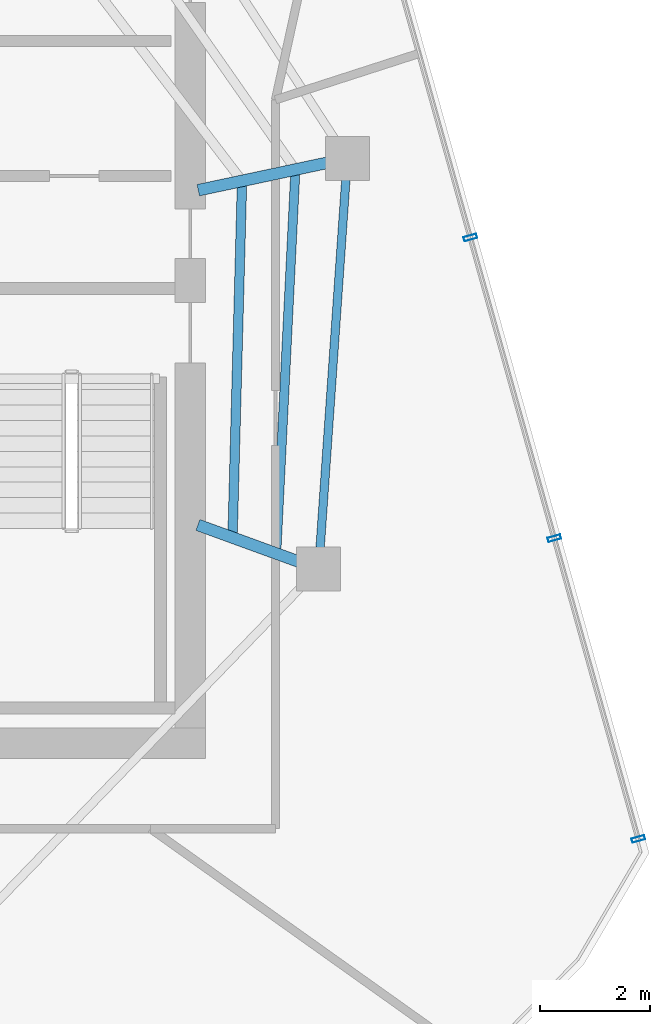
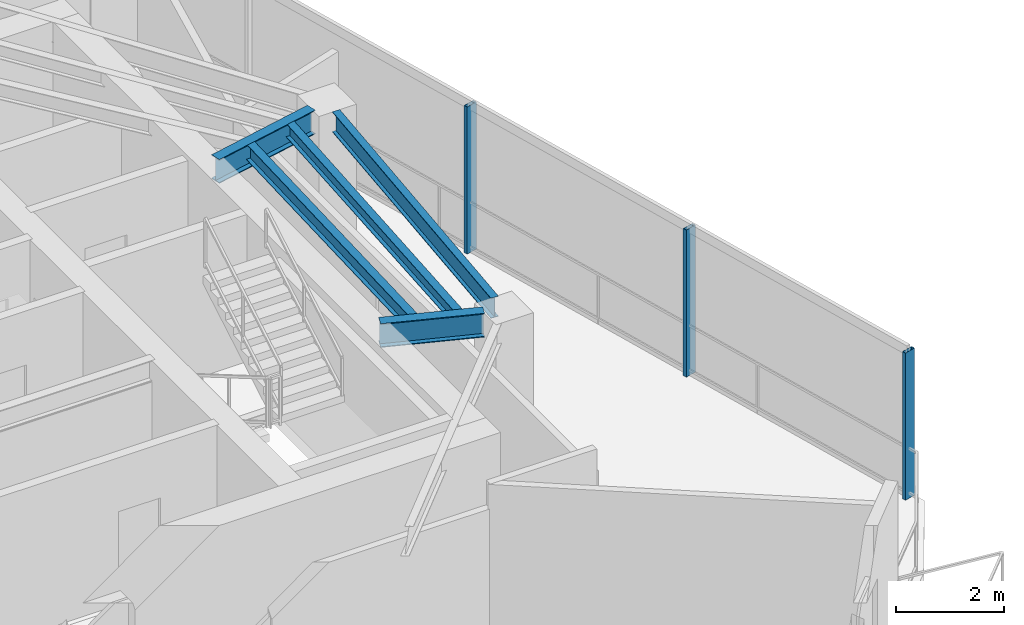
# One storey, part 10 of 18: 5 beams, 3 members, 1 element without a shape of its own.
"""IFC4 building model written with IfcOpenShell, lengths in metres."""

import ifcopenshell
import ifcopenshell.guid

model = None  # the IFC model being written
_history = None  # IfcOwnerHistory: only IFC2X3 demands one
_inside = {}  # id of a spatial element -> (the spatial element, [elements in it])
_under = {}  # id of a project, library or spatial element -> (it, [spatial elements below it])
_declared = {}  # id of a project -> (the project, [libraries it declares])
_typed = {}  # id of a type object -> (the type object, [elements of that type])
_made_of = {}  # id of a material, layer set ... -> (it, [elements and type objects made of it])


def new_model(schema):
    """Start an empty IFC model of exactly this schema.

    Asked for "IFC4X3", IfcOpenShell would pick the latest addendum, in which some entities
    have other attributes; the version numbers below select the first issue.
    IFC2X3 requires an IfcOwnerHistory on every rooted entity: one is made here for all.
    """
    global model, _history
    if schema == "IFC4X3":
        model = ifcopenshell.file(schema_version=(4, 3, 0, 0))
    else:
        model = ifcopenshell.file(schema=schema)
    _inside.clear()
    _under.clear()
    _declared.clear()
    _typed.clear()
    _made_of.clear()
    _history = None
    if model.schema == "IFC2X3":
        org = make("IfcOrganization", Name="unknown")
        user = make(
            "IfcPersonAndOrganization",
            ThePerson=make("IfcPerson", FamilyName="unknown"),
            TheOrganization=org,
        )
        app = make(
            "IfcApplication",
            ApplicationDeveloper=org,
            Version="unknown",
            ApplicationFullName="unknown",
            ApplicationIdentifier="unknown",
        )
        _history = make(
            "IfcOwnerHistory",
            OwningUser=user,
            OwningApplication=app,
            ChangeAction="ADDED",
            CreationDate=0,
        )
    return model


def make(cls, **values):
    """One entity of the class cls with the attributes given. An attribute that is None is left unset."""
    return model.create_entity(
        cls, **{name: value for name, value in values.items() if value is not None}
    )


def rooted(cls, **values):
    """An entity with a GlobalId (a new one), such as an element, a storey or a relation."""
    return make(cls, GlobalId=ifcopenshell.guid.new(), OwnerHistory=_history, **values)


def si_unit(unit_type, name, prefix=None):
    """IfcSIUnit, for example si_unit("LENGTHUNIT", "METRE", prefix="MILLI")."""
    return make("IfcSIUnit", UnitType=unit_type, Prefix=prefix, Name=name)


def assignment(units):
    """IfcUnitAssignment: the units of a project."""
    return None if units is None else make("IfcUnitAssignment", Units=units)


def point(xyz):
    """IfcCartesianPoint."""
    return None if xyz is None else make("IfcCartesianPoint", Coordinates=xyz)


def direction(xyz):
    """IfcDirection."""
    return None if xyz is None else make("IfcDirection", DirectionRatios=xyz)


def frame(location, z_axis=None, x_axis=None):
    """IfcAxis2Placement3D, a coordinate frame: its origin and axes. An axis left out is left unset."""
    return make(
        "IfcAxis2Placement3D",
        Location=point(location),
        Axis=direction(z_axis),
        RefDirection=direction(x_axis),
    )


def frame_2d(location, x_axis=None):
    """IfcAxis2Placement2D, a coordinate frame in the plane: its origin and x axis."""
    return make(
        "IfcAxis2Placement2D", Location=point(location), RefDirection=direction(x_axis)
    )


def origin():
    """The frame at (0, 0, 0) with its axes left unset."""
    return frame((0.0, 0.0, 0.0))


def origin_2d():
    """The frame at (0, 0) in the plane with its x axis left unset."""
    return frame_2d((0.0, 0.0))


def place(relative_to, where):
    """IfcLocalPlacement: puts the frame where relative to a parent placement (None: the world)."""
    return make(
        "IfcLocalPlacement", PlacementRelTo=relative_to, RelativePlacement=where
    )


def context(
    kind, dimensions, precision=None, world=None, true_north=None, identifier=None
):
    """IfcGeometricRepresentationContext, for example the 3D "Model" context."""
    return make(
        "IfcGeometricRepresentationContext",
        ContextIdentifier=identifier,
        ContextType=kind,
        CoordinateSpaceDimension=dimensions,
        Precision=precision,
        WorldCoordinateSystem=world,
        TrueNorth=true_north,
    )


def subcontext(parent, identifier, kind, view, scale=None):
    """IfcGeometricRepresentationSubContext, for example "Body" below "Model"."""
    return make(
        "IfcGeometricRepresentationSubContext",
        ContextIdentifier=identifier,
        ContextType=kind,
        ParentContext=parent,
        TargetScale=scale,
        TargetView=view,
    )


def project(units=None, contexts=None):
    """IfcProject with its units and contexts."""
    return rooted(
        "IfcProject",
        Name="project",
        RepresentationContexts=contexts,
        UnitsInContext=assignment(units),
    )


def spatial(cls, under=None, at=None, **own):
    """A site, building, storey or space (cls), placed at a placement, below another one or the project."""
    s = rooted(cls, ObjectPlacement=at, **own)
    if under is not None:
        _under.setdefault(under.id(), (under, []))[1].append(s)
    return s


def profile(cls, at=None, kind="AREA", **sizes):
    """A parametric profile (cls). Its sizes go by their IFC names, for example OverallWidth=200.0."""
    return make(cls, ProfileType=kind, Position=at, **sizes)


def hollow_rectangle(**sizes):
    """IfcRectangleHollowProfileDef."""
    return profile("IfcRectangleHollowProfileDef", **sizes)


def i_section(**sizes):
    """IfcIShapeProfileDef."""
    return profile("IfcIShapeProfileDef", **sizes)


def extrude(swept, where, along, depth):
    """IfcExtrudedAreaSolid: the profile swept, set in the frame where, extruded along a direction by depth."""
    return make(
        "IfcExtrudedAreaSolid",
        SweptArea=swept,
        Position=where,
        ExtrudedDirection=direction(along),
        Depth=depth,
    )


def shape(context_of_items, identifier, shape_type, items):
    """IfcShapeRepresentation: the items that make up one representation, for example the "Body"."""
    return make(
        "IfcShapeRepresentation",
        ContextOfItems=context_of_items,
        RepresentationIdentifier=identifier,
        RepresentationType=shape_type,
        Items=items,
    )


def material(Name=None, Category=None):
    """IfcMaterial."""
    return make("IfcMaterial", Name=Name, Category=Category)


def layer(
    of_material, thickness, ventilated=None, Name=None, Category=None, Priority=None
):
    """IfcMaterialLayer: one layer of a wall or slab, of a material (None: an air gap)."""
    return make(
        "IfcMaterialLayer",
        Material=of_material,
        LayerThickness=thickness,
        IsVentilated=ventilated,
        Name=Name,
        Category=Category,
        Priority=Priority,
    )


def layer_set(layers, Name=None):
    """IfcMaterialLayerSet."""
    return make("IfcMaterialLayerSet", MaterialLayers=layers, LayerSetName=Name)


def material_profile(
    of_material, cross_section, Name=None, Category=None, Priority=None
):
    """IfcMaterialProfile: a cross section and its material."""
    return make(
        "IfcMaterialProfile",
        Name=Name,
        Material=of_material,
        Profile=cross_section,
        Priority=Priority,
        Category=Category,
    )


def profile_set(profiles, Name=None, composite=None):
    """IfcMaterialProfileSet."""
    return make(
        "IfcMaterialProfileSet",
        Name=Name,
        MaterialProfiles=profiles,
        CompositeProfile=composite,
    )


def made_of(thing, what):
    """Note that an element or type object is made of a material, layer set ...; save() writes the relation."""
    if what is not None:
        _made_of.setdefault(what.id(), (what, []))[1].append(thing)
    return thing


def type_object(cls, material=None, **own):
    """A type object (cls), such as IfcWallType, which elements share."""
    return made_of(rooted(cls, **own), material)


def element(
    cls,
    number,
    at=None,
    inside=None,
    cuts=None,
    type_object=None,
    material=None,
    context=None,
    identifier="Body",
    shape_type=None,
    held_by="IfcProductDefinitionShape",
    body=None,
    shapes=None,
    **own,
):
    """One element of the class cls, such as IfcWall. Its Tag is "e" and its number.

    at: its placement. inside: the storey or other place that contains it. cuts: it is an
    opening in that element (IfcRelVoidsElement). A single representation is given by context,
    identifier, shape_type and body (its items); several are given by shapes. held_by: the class
    of the entity that holds the representations. save() writes the other relations.
    """
    e = rooted(cls, Tag="e%d" % number, ObjectPlacement=at, **own)
    if body is not None:
        shapes = [shape(context, identifier, shape_type, body)]
    if shapes is not None:
        e.Representation = make(held_by, Representations=shapes)
    if inside is not None:
        _inside.setdefault(inside.id(), (inside, []))[1].append(e)
    if cuts is not None:
        rooted(
            "IfcRelVoidsElement", RelatingBuildingElement=cuts, RelatedOpeningElement=e
        )
    if type_object is not None:
        _typed.setdefault(type_object.id(), (type_object, []))[1].append(e)
    return made_of(e, material)


def aggregate(whole, parts):
    """IfcRelAggregates: a whole, such as a stair, and the parts it consists of."""
    return rooted("IfcRelAggregates", RelatingObject=whole, RelatedObjects=parts)


def save(model, path):
    """Write the relations noted so far, then the file.

    IfcRelAggregates (storeys below a building ...), IfcRelContainedInSpatialStructure (elements
    in a storey), IfcRelDefinesByType, IfcRelAssociatesMaterial and IfcRelDeclares: one each for
    every whole, place, type object, material and project.
    """
    for whole, parts in _under.values():
        aggregate(whole, parts)
    for where, things in _inside.values():
        rooted(
            "IfcRelContainedInSpatialStructure",
            RelatedElements=things,
            RelatingStructure=where,
        )
    for kind, things in _typed.values():
        rooted("IfcRelDefinesByType", RelatedObjects=things, RelatingType=kind)
    for what, things in _made_of.values():
        rooted("IfcRelAssociatesMaterial", RelatedObjects=things, RelatingMaterial=what)
    for by, libraries in _declared.values():
        rooted("IfcRelDeclares", RelatingContext=by, RelatedDefinitions=libraries)
    model.write(path)


model = new_model("IFC4")

# Units and contexts
model_context = context("Model", 3, precision=1e-05, world=origin(), true_north=direction((0.0, 1.0)))
body_context = subcontext(model_context, "Body", "Model", "MODEL_VIEW")
ifc_project = project(units=[si_unit("LENGTHUNIT", "METRE"), si_unit("AREAUNIT", "SQUARE_METRE"), si_unit("VOLUMEUNIT", "CUBIC_METRE"), si_unit("PLANEANGLEUNIT", "RADIAN"), si_unit("MASSUNIT", "GRAM", prefix="KILO")], contexts=[model_context])

# Site, building, storey
site_placement = place(None, origin())
site = spatial("IfcSite", under=ifc_project, at=site_placement, CompositionType="ELEMENT")
building_placement = place(site_placement, origin())
building = spatial("IfcBuilding", under=site, at=building_placement, Name="Qarnah Convention Tower", CompositionType="ELEMENT")
storey_placement = place(building_placement, frame((0.0, 0.0, 239.10009765625)))
storey = spatial("IfcBuildingStorey", under=building, at=storey_placement, Name="L64", CompositionType="ELEMENT", Elevation=239.10009765625)

# Beams
ifc_material_1 = material(Name="Structural steel S355JR", Category="steel")
ifc_material_profile_1 = material_profile(ifc_material_1, i_section(OverallWidth=0.166015625, OverallDepth=0.31201171875, WebThickness=0.007080078125, FlangeThickness=0.010986328125, at=origin_2d()), Name="W310X45")
ifc_profile_set_1 = profile_set([ifc_material_profile_1], Name="Structural steel S355JR")
beam_type_1 = type_object("IfcBeamType", Name="BM-JST-W310", PredefinedType="JOIST", material=ifc_profile_set_1)
beam_1_placement = place(storey_placement, frame((49.16796875, 22.135986328125, 3.163818359375), z_axis=(0.049873147584, 0.99875556026, 0.0), x_axis=(-0.99875556026, 0.049873147584, 0.0)))
element("IfcBeam", 1, at=beam_1_placement, inside=storey, type_object=beam_type_1, Name="L64 joist BM-L64-SJST-09", PredefinedType="JOIST", context=body_context, shape_type="SweptSolid", body=[
    extrude(i_section(OverallWidth=0.166015625, OverallDepth=0.31201171875, WebThickness=0.007080078125, FlangeThickness=0.010986328125, at=origin_2d()), origin(), (0.0, 0.0, 1.0), 6.799560546875),
])
ifc_material_profile_2 = material_profile(ifc_material_1, i_section(OverallWidth=0.172119140625, OverallDepth=0.35595703125, WebThickness=0.007080078125, FlangeThickness=0.011962890625, at=origin_2d()), Name="W360X51")
ifc_profile_set_2 = profile_set([ifc_material_profile_2], Name="Structural steel S355JR")
beam_type_2 = type_object("IfcBeamType", Name="BM-JST-W360", PredefinedType="JOIST", material=ifc_profile_set_2)
beam_2_placement = place(storey_placement, frame((48.3720703125, 22.425048828125, 3.141845703125), z_axis=(0.026673720323, 0.999644193023, 0.0), x_axis=(-0.999644193023, 0.026673720323, 0.0)))
element("IfcBeam", 2, at=beam_2_placement, inside=storey, type_object=beam_type_2, Name="L64 joist BM-L64-IJST-09", PredefinedType="JOIST", context=body_context, shape_type="SweptSolid", body=[
    extrude(i_section(OverallWidth=0.172119140625, OverallDepth=0.35595703125, WebThickness=0.007080078125, FlangeThickness=0.011962890625, at=origin_2d()), origin(), (0.0, 0.0, 1.0), 6.297119140625),
])
ifc_material_profile_3 = material_profile(ifc_material_1, i_section(OverallWidth=0.2119140625, OverallDepth=0.5400390625, WebThickness=0.011962890625, FlangeThickness=0.01904296875, at=origin_2d()), Name="W530X109")
ifc_profile_set_3 = profile_set([ifc_material_profile_3], Name="Structural steel S355JR")
beam_type_3 = type_object("IfcBeamType", Name="BM-RAD-W530A", PredefinedType="BEAM", material=ifc_profile_set_3)
beam_3_placement = place(storey_placement, frame((47.7470703125, 28.64111328125, 3.0498046875), z_axis=(0.978103714349, 0.20811805298, 0.0), x_axis=(-0.20811805298, 0.978103714349, 0.0)))
element("IfcBeam", 3, at=beam_3_placement, inside=storey, type_object=beam_type_3, Name="L64 beam BM-L64-RAD-01", PredefinedType="BEAM", context=body_context, shape_type="SweptSolid", body=[
    extrude(i_section(OverallWidth=0.2119140625, OverallDepth=0.5400390625, WebThickness=0.011962890625, FlangeThickness=0.01904296875, at=origin_2d()), origin(), (0.0, 0.0, 1.0), 2.38720703125),
])
beam_4_placement = place(storey_placement, frame((47.740966796875, 22.56396484375, 3.0498046875), z_axis=(0.93967655832, -0.342064271363, 0.0), x_axis=(0.342064271363, 0.93967655832, 0.0)))
element("IfcBeam", 4, at=beam_4_placement, inside=storey, type_object=beam_type_3, Name="L64 beam BM-L64-RAD-09", PredefinedType="BEAM", context=body_context, shape_type="SweptSolid", body=[
    extrude(i_section(OverallWidth=0.2119140625, OverallDepth=0.5400390625, WebThickness=0.011962890625, FlangeThickness=0.01904296875, at=origin_2d()), origin(), (0.0, 0.0, 1.0), 1.95263671875),
])
ifc_material_profile_4 = material_profile(ifc_material_1, i_section(OverallWidth=0.154052734375, OverallDepth=0.4599609375, WebThickness=0.009033203125, FlangeThickness=0.014892578125, at=origin_2d()), Name="W460X68")
ifc_profile_set_4 = profile_set([ifc_material_profile_4], Name="Structural steel S355JR")
beam_type_4 = type_object("IfcBeamType", Name="BM-SPN-W460B", PredefinedType="SPANDREL", material=ifc_profile_set_4)
beam_5_placement = place(storey_placement, frame((49.9599609375, 22.155029296875, 3.08984375), z_axis=(0.069820410922, 0.997559577278, 0.0), x_axis=(-0.997559577278, 0.069820410922, 0.0)))
element("IfcBeam", 5, at=beam_5_placement, inside=storey, type_object=beam_type_4, Name="L64 spandrel BM-L64-SPN-09", PredefinedType="SPANDREL", context=body_context, shape_type="SweptSolid", body=[
    extrude(i_section(OverallWidth=0.154052734375, OverallDepth=0.4599609375, WebThickness=0.009033203125, FlangeThickness=0.014892578125, at=origin_2d()), origin(), (0.0, 0.0, 1.0), 6.689208984375),
])

# Curtain wall, members
ifc_material_2 = material(Name="Tempered Low-E dark glass", Category="glass")
ifc_layer = layer(ifc_material_2, 0.176025390625)
ifc_layer_set = layer_set([ifc_layer], Name="Tempered Low-E dark glass")
curtain_wall_type = type_object("IfcCurtainWallType", Name="CWS-05", PredefinedType="NOTDEFINED", material=ifc_layer_set)
curtain_wall_placement = place(storey_placement, origin())
curtain_wall = element("IfcCurtainWall", 6, at=curtain_wall_placement, inside=storey, type_object=curtain_wall_type, Name="L64 unitised curtain wall CW-L64-F3", PredefinedType="NOTDEFINED")
ifc_material_3 = material(Name="Black anodised aluminium", Category="aluminium")
ifc_material_profile_5 = material_profile(ifc_material_3, hollow_rectangle(XDim=0.080078125, YDim=0.239990234375, WallThickness=0.0048828125, at=origin_2d()), Name="MUL-80X240")
ifc_profile_set_5 = profile_set([ifc_material_profile_5], Name="Black anodised aluminium")
member_type = type_object("IfcMemberType", Name="MUL-T5", PredefinedType="MULLION", material=ifc_profile_set_5)
member_1_placement = place(storey_placement, frame((52.687255859375, 27.7822265625, 0.0), z_axis=(0.0, 0.0, 1.0), x_axis=(0.268928377077, -0.96316017775, 0.0)))
member_1 = element("IfcMember", 7, at=member_1_placement, type_object=member_type, Name="CW-L64-F3 mullion 4", PredefinedType="MULLION", context=body_context, shape_type="SweptSolid", body=[
    extrude(hollow_rectangle(XDim=0.080078125, YDim=0.239990234375, WallThickness=0.0048828125, at=origin_2d()), origin(), (0.0, 0.0, 1.0), 3.31982421875),
])
member_2_placement = place(storey_placement, frame((54.211669921875, 22.322509765625, 0.0), z_axis=(0.0, 0.0, 1.0), x_axis=(0.268928377077, -0.96316017775, 0.0)))
member_2 = element("IfcMember", 8, at=member_2_placement, type_object=member_type, Name="CW-L64-F3 mullion 5", PredefinedType="MULLION", context=body_context, shape_type="SweptSolid", body=[
    extrude(hollow_rectangle(XDim=0.080078125, YDim=0.239990234375, WallThickness=0.0048828125, at=origin_2d()), origin(), (0.0, 0.0, 1.0), 3.31982421875),
])
member_3_placement = place(storey_placement, frame((55.736083984375, 16.863037109375, 0.0), z_axis=(0.0, 0.0, 1.0), x_axis=(0.268928377077, -0.96316017775, 0.0)))
member_3 = element("IfcMember", 9, at=member_3_placement, type_object=member_type, Name="CW-L64-F3 mullion 6", PredefinedType="MULLION", context=body_context, shape_type="SweptSolid", body=[
    extrude(hollow_rectangle(XDim=0.080078125, YDim=0.239990234375, WallThickness=0.0048828125, at=origin_2d()), origin(), (0.0, 0.0, 1.0), 3.31982421875),
])
aggregate(curtain_wall, [member_1, member_2, member_3])

save(model, "model.ifc")
